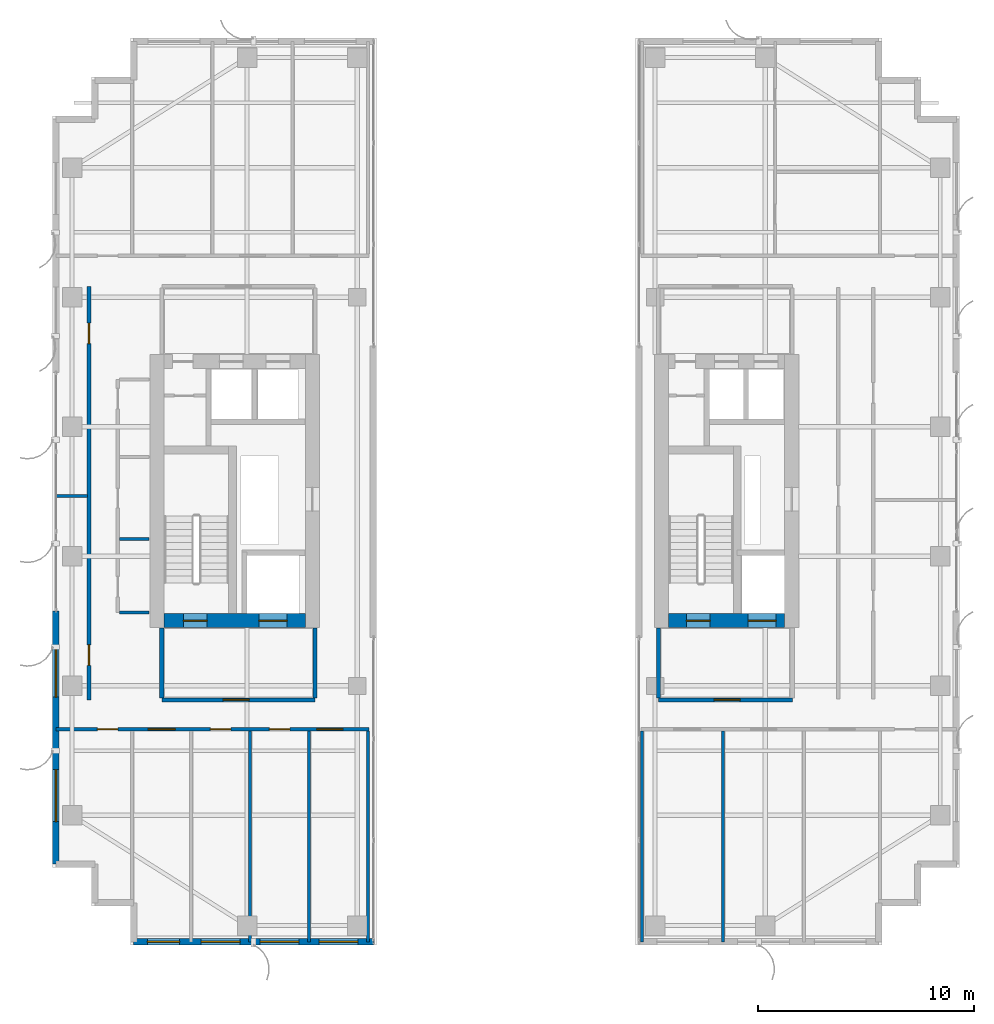
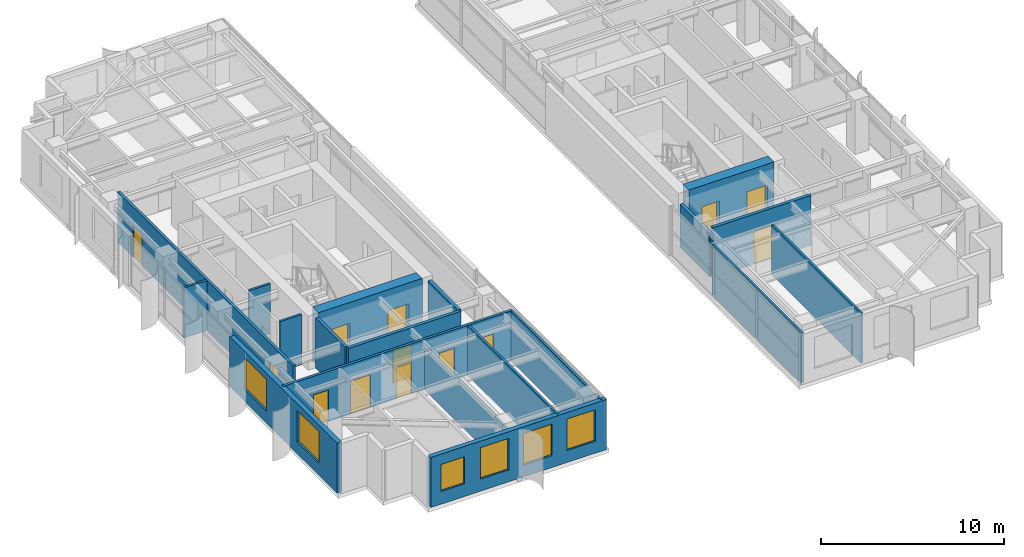
# One storey, part 16 of 22: 19 walls, 13 doors, 6 windows, 19 openings.
"""IFC4 building model written with IfcOpenShell, lengths in metres."""

from ifc_helpers import new_model, si_unit, direction, frame, frame_2d, origin, place, context, subcontext, project, spatial, rectangle, extrude, source, transform, mapped, material, layer, layer_set, type_object, element, fill, save


model = new_model("IFC4")

# Units and contexts
model_context = context("Model", 3, precision=1e-05, world=origin(), true_north=direction((0.0, 1.0)))
body_context = subcontext(model_context, "Body", "Model", "MODEL_VIEW")
ifc_project = project(units=[si_unit("LENGTHUNIT", "METRE"), si_unit("AREAUNIT", "SQUARE_METRE"), si_unit("VOLUMEUNIT", "CUBIC_METRE"), si_unit("PLANEANGLEUNIT", "RADIAN"), si_unit("MASSUNIT", "GRAM", prefix="KILO")], contexts=[model_context])

# Site, building, storey
site_placement = place(None, origin())
site = spatial("IfcSite", under=ifc_project, at=site_placement, CompositionType="ELEMENT")
building_placement = place(site_placement, origin())
building = spatial("IfcBuilding", under=site, at=building_placement, Name="Khoralis Quay Care Tower", CompositionType="ELEMENT")
storey_placement = place(building_placement, frame((0.0, 0.0, 188.10009765625)))
storey = spatial("IfcBuildingStorey", under=building, at=storey_placement, Name="L49", CompositionType="ELEMENT", Elevation=188.10009765625)

# Wall, opening, door
ifc_material_1 = material(Name="Gypsum plasterboard on acoustic metal stud")
ifc_layer_1 = layer(ifc_material_1, 0.199951171875)
ifc_layer_set_1 = layer_set([ifc_layer_1], Name="Gypsum plasterboard on acoustic metal stud")
wall_type_1 = type_object("IfcWallType", Name="WL-COMP-200", PredefinedType="PARTITIONING", material=ifc_layer_set_1)
wall_1_placement = place(storey_placement, frame((8.050048828125, 11.35009765625, 0.0), z_axis=(0.0, 0.0, 1.0), x_axis=(1.0, 0.0, 0.0)))
wall_1 = element("IfcWall", 1, at=wall_1_placement, inside=storey, type_object=wall_type_1, Name="L49 West Firefighting Lobby South Wall", PredefinedType="PARTITIONING", context=body_context, shape_type="SweptSolid", body=[
    extrude(rectangle(XDim=7.099853515625, YDim=0.199951171875, at=frame_2d((3.5498046875, 0.0))), origin(), (0.0, 0.0, 1.0), 3.33984375),
])
opening_1_placement = place(wall_1_placement, frame((2.846435546875, 0.0, 0.0)))
opening_1 = element("IfcOpeningElement", 2, at=opening_1_placement, cuts=wall_1, Name="Opening FD1", PredefinedType="OPENING", context=body_context, shape_type="SweptSolid", body=[
    extrude(rectangle(XDim=1.199951171875, YDim=2.199951171875, at=frame_2d((0.60009765625, 1.10009765625))), frame((0.0, 0.10986328125, 0.0), z_axis=(0.0, -1.0, 0.0), x_axis=(1.0, 0.0, 0.0)), (0.0, 0.0, 1.0), 0.219970703125),
])
ifc_material_2 = material(Name="Fire-rated painted steel", Category="steel")
door_type_1 = type_object("IfcDoorType", Name="DR-FFL-1200X2200", OperationType="NOTDEFINED", PredefinedType="DOOR", material=ifc_material_2)
shared_shape_1 = source(origin(), body_context, "Body", "SweptSolid", [
    extrude(rectangle(XDim=1.199951171875, YDim=2.199951171875, at=frame_2d((0.60009765625, 1.10009765625))), frame((0.0, 0.02490234375, 0.0), z_axis=(0.0, -1.0, 0.0), x_axis=(1.0, 0.0, 0.0)), (0.0, 0.0, 1.0), 0.050048828125),
])
door_1_placement = place(opening_1_placement, origin())
door_1 = element("IfcDoor", 3, at=door_1_placement, inside=storey, type_object=door_type_1, Name="L49 West Firefighting Lobby Fire Door", OperationType="SINGLE_SWING_LEFT", OverallHeight=2.199951171875, OverallWidth=1.199951171875, PredefinedType="DOOR", context=body_context, shape_type="MappedRepresentation", body=[
    mapped(shared_shape_1, transform((0.0, 0.0, 0.0), scale=1.0)),
])
fill(opening_1, door_1)

# Walls
for number, where, z_axis, x_axis, name in (
    (4, (8.050048828125, 11.445068359375, 0.0), (0.0, 0.0, 1.0), (0.0, 1.0, 0.0), "L49 West Firefighting Lobby West Wall"),
    (5, (15.14990234375, 11.445068359375, 0.0), (0.0, 0.0, 1.0), (0.0, 1.0, 0.0), "L49 West Firefighting Lobby East Wall"),
):
    element("IfcWall", number, at=place(storey_placement, frame(where, z_axis=z_axis, x_axis=x_axis)), inside=storey, type_object=wall_type_1, Name=name, PredefinedType="PARTITIONING", context=body_context, shape_type="SweptSolid", body=[
        extrude(rectangle(XDim=3.23486328125, YDim=0.199951171875, at=frame_2d((1.617431640625, 0.0))), origin(), (0.0, 0.0, 1.0), 3.33984375),
    ])

# Wall, opening, door
wall_2_placement = place(storey_placement, frame((31.050048828125, 11.35009765625, 0.0), z_axis=(0.0, 0.0, 1.0), x_axis=(1.0, 0.0, 0.0)))
wall_2 = element("IfcWall", 6, at=wall_2_placement, inside=storey, type_object=wall_type_1, Name="L49 East Firefighting Lobby South Wall", PredefinedType="PARTITIONING", context=body_context, shape_type="SweptSolid", body=[
    extrude(rectangle(XDim=6.199951171875, YDim=0.199951171875, at=frame_2d((3.10009765625, 0.0))), origin(), (0.0, 0.0, 1.0), 3.33984375),
])
opening_2_placement = place(wall_2_placement, frame((2.585693359375, 0.0, 0.0)))
opening_2 = element("IfcOpeningElement", 7, at=opening_2_placement, cuts=wall_2, Name="Opening FD1", PredefinedType="OPENING", context=body_context, shape_type="SweptSolid", body=[
    extrude(rectangle(XDim=1.199951171875, YDim=2.199951171875, at=frame_2d((0.60009765625, 1.10009765625))), frame((0.0, 0.10986328125, 0.0), z_axis=(0.0, -1.0, 0.0), x_axis=(1.0, 0.0, 0.0)), (0.0, 0.0, 1.0), 0.219970703125),
])
door_2_placement = place(opening_2_placement, origin())
door_2 = element("IfcDoor", 8, at=door_2_placement, inside=storey, type_object=door_type_1, Name="L49 East Firefighting Lobby Fire Door", OperationType="SINGLE_SWING_RIGHT", OverallHeight=2.199951171875, OverallWidth=1.199951171875, PredefinedType="DOOR", context=body_context, shape_type="MappedRepresentation", body=[
    mapped(shared_shape_1, transform((0.0, 0.0, 0.0), scale=1.0)),
])
fill(opening_2, door_2)

# Wall
wall_3_placement = place(storey_placement, frame((31.050048828125, 11.445068359375, 0.0), z_axis=(0.0, 0.0, 1.0), x_axis=(0.0, 1.0, 0.0)))
element("IfcWall", 9, at=wall_3_placement, inside=storey, type_object=wall_type_1, Name="L49 East Firefighting Lobby West Wall", PredefinedType="PARTITIONING", context=body_context, shape_type="SweptSolid", body=[
    extrude(rectangle(XDim=3.23486328125, YDim=0.199951171875, at=frame_2d((1.617431640625, 0.0))), origin(), (0.0, 0.0, 1.0), 2.876953125),
])

# Wall, openings, doors
ifc_material_3 = material(Name="Concrete C65/80", Category="concrete")
ifc_layer_2 = layer(ifc_material_3, 0.64990234375)
ifc_layer_set_2 = layer_set([ifc_layer_2], Name="Concrete C65/80")
wall_type_2 = type_object("IfcWallType", Name="WL-CORE-650", PredefinedType="SHEAR", material=ifc_layer_set_2)
wall_4_placement = place(storey_placement, frame((8.14990234375, 15.02490234375, 0.0), z_axis=(0.0, 0.0, 1.0), x_axis=(1.0, 0.0, 0.0)))
wall_4 = element("IfcWall", 10, at=wall_4_placement, inside=storey, type_object=wall_type_2, Name="L49 WCORE South Shear Wall", PredefinedType="SHEAR", context=body_context, shape_type="SweptSolid", body=[
    extrude(rectangle(XDim=6.550048828125, YDim=0.64990234375, at=frame_2d((3.27490234375, 0.0))), origin(), (0.0, 0.0, 1.0), 3.599853515625),
])
opening_3_placement = place(wall_4_placement, frame((0.89990234375, 0.0, 0.0)))
opening_3 = element("IfcOpeningElement", 11, at=opening_3_placement, cuts=wall_4, Name="Opening SD1", PredefinedType="OPENING", context=body_context, shape_type="SweptSolid", body=[
    extrude(rectangle(XDim=1.10009765625, YDim=2.199951171875, at=frame_2d((0.550048828125, 1.10009765625))), frame((0.0, 0.3349609375, 0.0), z_axis=(0.0, -1.0, 0.0), x_axis=(1.0, 0.0, 0.0)), (0.0, 0.0, 1.0), 0.669921875),
])
opening_4_placement = place(wall_4_placement, frame((4.39990234375, 0.0, 0.0)))
opening_4 = element("IfcOpeningElement", 12, at=opening_4_placement, cuts=wall_4, Name="Opening LD2", PredefinedType="OPENING", context=body_context, shape_type="SweptSolid", body=[
    extrude(rectangle(XDim=1.300048828125, YDim=2.199951171875, at=frame_2d((0.64990234375, 1.10009765625))), frame((0.0, 0.3349609375, 0.0), z_axis=(0.0, -1.0, 0.0), x_axis=(1.0, 0.0, 0.0)), (0.0, 0.0, 1.0), 0.669921875),
])
door_type_2 = type_object("IfcDoorType", Name="DR-STAIR-1100X2200", OperationType="NOTDEFINED", PredefinedType="DOOR", material=ifc_material_2)
shared_shape_2 = source(origin(), body_context, "Body", "SweptSolid", [
    extrude(rectangle(XDim=1.10009765625, YDim=2.199951171875, at=frame_2d((0.550048828125, 1.10009765625))), frame((0.0, 0.02490234375, 0.0), z_axis=(0.0, -1.0, 0.0), x_axis=(1.0, 0.0, 0.0)), (0.0, 0.0, 1.0), 0.050048828125),
])
door_3_placement = place(opening_3_placement, origin())
door_3 = element("IfcDoor", 13, at=door_3_placement, inside=storey, type_object=door_type_2, Name="L49 Stair ST-T1 Fire Door", OperationType="SINGLE_SWING_LEFT", OverallHeight=2.199951171875, OverallWidth=1.10009765625, PredefinedType="DOOR", context=body_context, shape_type="MappedRepresentation", body=[
    mapped(shared_shape_2, transform((0.0, 0.0, 0.0), scale=1.0)),
])
fill(opening_3, door_3)
ifc_material_4 = material(Name="Brushed stainless steel", Category="steel")
door_type_3 = type_object("IfcDoorType", Name="DR-LIFT-1300X2200", OperationType="SLIDING_TO_RIGHT", PredefinedType="DOOR", material=ifc_material_4)
shared_shape_3 = source(origin(), body_context, "Body", "SweptSolid", [
    extrude(rectangle(XDim=1.300048828125, YDim=2.199951171875, at=frame_2d((0.64990234375, 1.10009765625))), frame((0.0, 0.02490234375, 0.0), z_axis=(0.0, -1.0, 0.0), x_axis=(1.0, 0.0, 0.0)), (0.0, 0.0, 1.0), 0.050048828125),
])
door_4_placement = place(opening_4_placement, origin())
door_4 = element("IfcDoor", 14, at=door_4_placement, inside=storey, type_object=door_type_3, Name="L49 Firefighting Lift FFL-1 Landing Door", OperationType="SLIDING_TO_RIGHT", OverallHeight=2.199951171875, OverallWidth=1.300048828125, PredefinedType="DOOR", context=body_context, shape_type="MappedRepresentation", body=[
    mapped(shared_shape_3, transform((0.0, 0.0, 0.0), scale=1.0)),
])
fill(opening_4, door_4)

wall_5_placement = place(storey_placement, frame((31.52001953125, 15.02490234375, 0.0), z_axis=(0.0, 0.0, 1.0), x_axis=(1.0, 0.0, 0.0)))
wall_5 = element("IfcWall", 15, at=wall_5_placement, inside=storey, type_object=wall_type_2, Name="L49 ECORE South Shear Wall", PredefinedType="SHEAR", context=body_context, shape_type="SweptSolid", body=[
    extrude(rectangle(XDim=5.3798828125, YDim=0.64990234375, at=frame_2d((2.68994140625, 0.0))), origin(), (0.0, 0.0, 1.0), 3.599853515625),
])
opening_5_placement = place(wall_5_placement, frame((0.830078125, 0.0, 0.0)))
opening_5 = element("IfcOpeningElement", 16, at=opening_5_placement, cuts=wall_5, Name="Opening SD1", PredefinedType="OPENING", context=body_context, shape_type="SweptSolid", body=[
    extrude(rectangle(XDim=1.10009765625, YDim=2.199951171875, at=frame_2d((0.550048828125, 1.10009765625))), frame((0.0, 0.3349609375, 0.0), z_axis=(0.0, -1.0, 0.0), x_axis=(1.0, 0.0, 0.0)), (0.0, 0.0, 1.0), 0.669921875),
])
opening_6_placement = place(wall_5_placement, frame((3.679931640625, 0.0, 0.0)))
opening_6 = element("IfcOpeningElement", 17, at=opening_6_placement, cuts=wall_5, Name="Opening LD2", PredefinedType="OPENING", context=body_context, shape_type="SweptSolid", body=[
    extrude(rectangle(XDim=1.300048828125, YDim=2.199951171875, at=frame_2d((0.64990234375, 1.10009765625))), frame((0.0, 0.3349609375, 0.0), z_axis=(0.0, -1.0, 0.0), x_axis=(1.0, 0.0, 0.0)), (0.0, 0.0, 1.0), 0.669921875),
])
door_5_placement = place(opening_5_placement, origin())
door_5 = element("IfcDoor", 18, at=door_5_placement, inside=storey, type_object=door_type_2, Name="L49 Stair ST-T2 Fire Door", OperationType="SINGLE_SWING_RIGHT", OverallHeight=2.199951171875, OverallWidth=1.10009765625, PredefinedType="DOOR", context=body_context, shape_type="MappedRepresentation", body=[
    mapped(shared_shape_2, transform((0.0, 0.0, 0.0), scale=1.0)),
])
fill(opening_5, door_5)
door_6_placement = place(opening_6_placement, origin())
door_6 = element("IfcDoor", 19, at=door_6_placement, inside=storey, type_object=door_type_3, Name="L49 Firefighting Lift FFL-2 Landing Door", OperationType="SLIDING_TO_RIGHT", OverallHeight=2.199951171875, OverallWidth=1.300048828125, PredefinedType="DOOR", context=body_context, shape_type="MappedRepresentation", body=[
    mapped(shared_shape_3, transform((0.0, 0.0, 0.0), scale=1.0)),
])
fill(opening_6, door_6)

ifc_layer_3 = layer(ifc_material_1, 0.1650390625)
ifc_layer_set_3 = layer_set([ifc_layer_3], Name="Gypsum plasterboard on acoustic metal stud")
wall_type_3 = type_object("IfcWallType", Name="WL-CORR-165", PredefinedType="PARTITIONING", material=ifc_layer_set_3)
wall_6_placement = place(storey_placement, frame((3.14501953125, 9.989990234375, 0.0), z_axis=(0.0, 0.0, 1.0), x_axis=(1.0, 0.0, 0.0)))
wall_6 = element("IfcWall", 20, at=wall_6_placement, inside=storey, type_object=wall_type_3, Name="L49 West Wing South Corridor Wall", PredefinedType="PARTITIONING", context=body_context, shape_type="SweptSolid", body=[
    extrude(rectangle(XDim=14.5048828125, YDim=0.1650390625, at=frame_2d((7.25244140625, 0.0))), origin(), (0.0, 0.0, 1.0), 3.33984375),
])
opening_7_placement = place(wall_6_placement, frame((4.27490234375, 0.0, 0.0)))
opening_7 = element("IfcOpeningElement", 21, at=opening_7_placement, cuts=wall_6, Name="Opening CD1", PredefinedType="OPENING", context=body_context, shape_type="SweptSolid", body=[
    extrude(rectangle(XDim=1.25, YDim=2.199951171875, at=frame_2d((0.625, 1.10009765625))), frame((0.0, 0.092529296875, 0.0), z_axis=(0.0, -1.0, 0.0), x_axis=(1.0, 0.0, 0.0)), (0.0, 0.0, 1.0), 0.18505859375),
])
opening_8_placement = place(wall_6_placement, frame((7.155029296875, 0.0, 0.0)))
opening_8 = element("IfcOpeningElement", 22, at=opening_8_placement, cuts=wall_6, Name="Opening ID1", PredefinedType="OPENING", context=body_context, shape_type="SweptSolid", body=[
    extrude(rectangle(XDim=0.949951171875, YDim=2.10009765625, at=frame_2d((0.47509765625, 1.050048828125))), frame((0.0, 0.092529296875, 0.0), z_axis=(0.0, -1.0, 0.0), x_axis=(1.0, 0.0, 0.0)), (0.0, 0.0, 1.0), 0.18505859375),
])
opening_9_placement = place(wall_6_placement, frame((9.885009765625, 0.0, 0.0)))
opening_9 = element("IfcOpeningElement", 23, at=opening_9_placement, cuts=wall_6, Name="Opening ID1", PredefinedType="OPENING", context=body_context, shape_type="SweptSolid", body=[
    extrude(rectangle(XDim=0.949951171875, YDim=2.10009765625, at=frame_2d((0.47509765625, 1.050048828125))), frame((0.0, 0.092529296875, 0.0), z_axis=(0.0, -1.0, 0.0), x_axis=(1.0, 0.0, 0.0)), (0.0, 0.0, 1.0), 0.18505859375),
])
opening_10_placement = place(wall_6_placement, frame((12.090087890625, 0.0, 0.0)))
opening_10 = element("IfcOpeningElement", 24, at=opening_10_placement, cuts=wall_6, Name="Opening FD1", PredefinedType="OPENING", context=body_context, shape_type="SweptSolid", body=[
    extrude(rectangle(XDim=1.199951171875, YDim=2.199951171875, at=frame_2d((0.60009765625, 1.10009765625))), frame((0.0, 0.092529296875, 0.0), z_axis=(0.0, -1.0, 0.0), x_axis=(1.0, 0.0, 0.0)), (0.0, 0.0, 1.0), 0.18505859375),
])
opening_11_placement = place(wall_6_placement, frame((1.919921875, 0.0, 0.0)))
opening_11 = element("IfcOpeningElement", 25, at=opening_11_placement, cuts=wall_6, Name="Opening ID1", PredefinedType="OPENING", context=body_context, shape_type="SweptSolid", body=[
    extrude(rectangle(XDim=0.949951171875, YDim=2.10009765625, at=frame_2d((0.47509765625, 1.050048828125))), frame((0.0, 0.092529296875, 0.0), z_axis=(0.0, -1.0, 0.0), x_axis=(1.0, 0.0, 0.0)), (0.0, 0.0, 1.0), 0.18505859375),
])
door_7_placement = place(opening_10_placement, frame((1.199951171875, 0.0, 0.0), z_axis=(0.0, 0.0, 1.0), x_axis=(-1.0, 0.0, 0.0)))
door_7 = element("IfcDoor", 26, at=door_7_placement, inside=storey, type_object=door_type_1, Name="L49 Senior Wellness Pharmacy Shop Door", OperationType="DOUBLE_DOOR_SINGLE_SWING", OverallHeight=2.199951171875, OverallWidth=1.199951171875, PredefinedType="DOOR", context=body_context, shape_type="MappedRepresentation", body=[
    mapped(shared_shape_1, transform((0.0, 0.0, 0.0), scale=1.0)),
])
fill(opening_10, door_7)
ifc_material_5 = material(Name="Acoustic hardwood timber", Category="wood")
door_type_4 = type_object("IfcDoorType", Name="DR-CARE-1250X2200", OperationType="NOTDEFINED", PredefinedType="DOOR", material=ifc_material_5)
shared_shape_4 = source(origin(), body_context, "Body", "SweptSolid", [
    extrude(rectangle(XDim=1.25, YDim=2.199951171875, at=frame_2d((0.625, 1.10009765625))), frame((0.0, 0.02490234375, 0.0), z_axis=(0.0, -1.0, 0.0), x_axis=(1.0, 0.0, 0.0)), (0.0, 0.0, 1.0), 0.050048828125),
])
door_8_placement = place(opening_7_placement, frame((1.25, 0.0, 0.0), z_axis=(0.0, 0.0, 1.0), x_axis=(-1.0, 0.0, 0.0)))
door_8 = element("IfcDoor", 27, at=door_8_placement, inside=storey, type_object=door_type_4, Name="L49 Geriatric Consultation Clinic Door", OperationType="SINGLE_SWING_RIGHT", OverallHeight=2.199951171875, OverallWidth=1.25, PredefinedType="DOOR", context=body_context, shape_type="MappedRepresentation", body=[
    mapped(shared_shape_4, transform((0.0, 0.0, 0.0), scale=1.0)),
])
fill(opening_7, door_8)
door_type_5 = type_object("IfcDoorType", Name="DR-ROOM-950X2100", OperationType="NOTDEFINED", PredefinedType="DOOR", material=ifc_material_5)
shared_shape_5 = source(origin(), body_context, "Body", "SweptSolid", [
    extrude(rectangle(XDim=0.949951171875, YDim=2.10009765625, at=frame_2d((0.47509765625, 1.050048828125))), frame((0.0, 0.02490234375, 0.0), z_axis=(0.0, -1.0, 0.0), x_axis=(1.0, 0.0, 0.0)), (0.0, 0.0, 1.0), 0.050048828125),
])
door_9_placement = place(opening_8_placement, frame((0.949951171875, 0.0, 0.0), z_axis=(0.0, 0.0, 1.0), x_axis=(-1.0, 0.0, 0.0)))
door_9 = element("IfcDoor", 28, at=door_9_placement, inside=storey, type_object=door_type_5, Name="L49 Care Coordination Office Door", OperationType="SINGLE_SWING_RIGHT", OverallHeight=2.10009765625, OverallWidth=0.949951171875, PredefinedType="DOOR", context=body_context, shape_type="MappedRepresentation", body=[
    mapped(shared_shape_5, transform((0.0, 0.0, 0.0), scale=1.0)),
])
fill(opening_8, door_9)
door_10_placement = place(opening_9_placement, frame((0.949951171875, 0.0, 0.0), z_axis=(0.0, 0.0, 1.0), x_axis=(-1.0, 0.0, 0.0)))
door_10 = element("IfcDoor", 29, at=door_10_placement, inside=storey, type_object=door_type_5, Name="L49 Family Case Conference Room Door", OperationType="SINGLE_SWING_LEFT", OverallHeight=2.10009765625, OverallWidth=0.949951171875, PredefinedType="DOOR", context=body_context, shape_type="MappedRepresentation", body=[
    mapped(shared_shape_5, transform((0.0, 0.0, 0.0), scale=1.0)),
])
fill(opening_9, door_10)
door_11_placement = place(opening_11_placement, frame((0.949951171875, 0.0, 0.0), z_axis=(0.0, 0.0, 1.0), x_axis=(-1.0, 0.0, 0.0)))
door_11 = element("IfcDoor", 30, at=door_11_placement, inside=storey, type_object=door_type_5, Name="L49 SW Corner Door", OperationType="SINGLE_SWING_LEFT", OverallHeight=2.10009765625, OverallWidth=0.949951171875, PredefinedType="DOOR", context=body_context, shape_type="MappedRepresentation", body=[
    mapped(shared_shape_5, transform((0.0, 0.0, 0.0), scale=1.0)),
])
fill(opening_11, door_11)

wall_7_placement = place(storey_placement, frame((4.679931640625, 11.35009765625, 0.0), z_axis=(0.0, 0.0, 1.0), x_axis=(0.0, 1.0, 0.0)))
wall_7 = element("IfcWall", 31, at=wall_7_placement, inside=storey, type_object=wall_type_3, Name="L49 West Mid South Entry Wall", PredefinedType="PARTITIONING", context=body_context, shape_type="SweptSolid", body=[
    extrude(rectangle(XDim=19.14990234375, YDim=0.1650390625, at=frame_2d((9.574951171875, 0.0))), origin(), (0.0, 0.0, 1.0), 3.33984375),
])
opening_12_placement = place(wall_7_placement, frame((1.60009765625, 0.0, 0.0)))
opening_12 = element("IfcOpeningElement", 32, at=opening_12_placement, cuts=wall_7, Name="Opening ID1", PredefinedType="OPENING", context=body_context, shape_type="SweptSolid", body=[
    extrude(rectangle(XDim=0.949951171875, YDim=2.10009765625, at=frame_2d((0.47509765625, 1.050048828125))), frame((0.0, 0.092529296875, 0.0), z_axis=(0.0, -1.0, 0.0), x_axis=(1.0, 0.0, 0.0)), (0.0, 0.0, 1.0), 0.18505859375),
])
opening_13_placement = place(wall_7_placement, frame((16.5, 0.0, 0.0)))
opening_13 = element("IfcOpeningElement", 33, at=opening_13_placement, cuts=wall_7, Name="Opening ID1", PredefinedType="OPENING", context=body_context, shape_type="SweptSolid", body=[
    extrude(rectangle(XDim=0.949951171875, YDim=2.10009765625, at=frame_2d((0.47509765625, 1.050048828125))), frame((0.0, 0.092529296875, 0.0), z_axis=(0.0, -1.0, 0.0), x_axis=(1.0, 0.0, 0.0)), (0.0, 0.0, 1.0), 0.18505859375),
])
door_12_placement = place(opening_12_placement, frame((0.949951171875, 0.0, 0.0), z_axis=(0.0, 0.0, 1.0), x_axis=(-1.0, 0.0, 0.0)))
door_12 = element("IfcDoor", 34, at=door_12_placement, inside=storey, type_object=door_type_5, Name="L49 West Waterfront Living Suite Door", OperationType="SINGLE_SWING_LEFT", OverallHeight=2.10009765625, OverallWidth=0.949951171875, PredefinedType="DOOR", context=body_context, shape_type="MappedRepresentation", body=[
    mapped(shared_shape_5, transform((0.0, 0.0, 0.0), scale=1.0)),
])
fill(opening_12, door_12)
door_13_placement = place(opening_13_placement, frame((0.949951171875, 0.0, 0.0), z_axis=(0.0, 0.0, 1.0), x_axis=(-1.0, 0.0, 0.0)))
door_13 = element("IfcDoor", 35, at=door_13_placement, inside=storey, type_object=door_type_5, Name="L49 West Care Coordinator Office Door", OperationType="SINGLE_SWING_RIGHT", OverallHeight=2.10009765625, OverallWidth=0.949951171875, PredefinedType="DOOR", context=body_context, shape_type="MappedRepresentation", body=[
    mapped(shared_shape_5, transform((0.0, 0.0, 0.0), scale=1.0)),
])
fill(opening_13, door_13)

# Wall, openings, windows
ifc_material_6 = material(Name="Precast concrete C45/55", Category="concrete")
ifc_layer_4 = layer(ifc_material_6, 0.300048828125)
ifc_layer_set_4 = layer_set([ifc_layer_4], Name="Precast concrete C45/55")
wall_type_4 = type_object("IfcWallType", Name="WL-EXT-REF-300", PredefinedType="SOLIDWALL", material=ifc_layer_set_4)
wall_8_placement = place(storey_placement, frame((6.75, 0.14990234375, 0.0), z_axis=(0.0, 0.0, 1.0), x_axis=(1.0, 0.0, 0.0)))
wall_8 = element("IfcWall", 36, at=wall_8_placement, inside=storey, type_object=wall_type_4, Name="L49 External Facade Wall WL-EXT-L49-P1-E0", PredefinedType="SOLIDWALL", context=body_context, shape_type="SweptSolid", body=[
    extrude(rectangle(XDim=11.10009765625, YDim=0.300048828125, at=frame_2d((5.550048828125, 0.0))), origin(), (0.0, 0.0, 1.0), 3.33984375),
])
opening_14_placement = place(wall_8_placement, frame((0.6298828125, 0.0, 0.85009765625)))
opening_14 = element("IfcOpeningElement", 37, at=opening_14_placement, cuts=wall_8, Name="Opening W3", PredefinedType="OPENING", context=body_context, shape_type="SweptSolid", body=[
    extrude(rectangle(XDim=1.5, YDim=1.800048828125, at=frame_2d((0.75, 0.89990234375))), frame((0.0, 0.16015625, 0.0), z_axis=(0.0, -1.0, 0.0), x_axis=(1.0, 0.0, 0.0)), (0.0, 0.0, 1.0), 0.320068359375),
])
opening_15_placement = place(wall_8_placement, frame((3.125, 0.0, 0.800048828125)))
opening_15 = element("IfcOpeningElement", 38, at=opening_15_placement, cuts=wall_8, Name="Opening W2", PredefinedType="OPENING", context=body_context, shape_type="SweptSolid", body=[
    extrude(rectangle(XDim=1.800048828125, YDim=2.10009765625, at=frame_2d((0.89990234375, 1.050048828125))), frame((0.0, 0.16015625, 0.0), z_axis=(0.0, -1.0, 0.0), x_axis=(1.0, 0.0, 0.0)), (0.0, 0.0, 1.0), 0.320068359375),
])
opening_16_placement = place(wall_8_placement, frame((5.85498046875, 0.0, 0.800048828125)))
opening_16 = element("IfcOpeningElement", 39, at=opening_16_placement, cuts=wall_8, Name="Opening W2", PredefinedType="OPENING", context=body_context, shape_type="SweptSolid", body=[
    extrude(rectangle(XDim=1.800048828125, YDim=2.10009765625, at=frame_2d((0.89990234375, 1.050048828125))), frame((0.0, 0.16015625, 0.0), z_axis=(0.0, -1.0, 0.0), x_axis=(1.0, 0.0, 0.0)), (0.0, 0.0, 1.0), 0.320068359375),
])
opening_17_placement = place(wall_8_placement, frame((8.5849609375, 0.0, 0.800048828125)))
opening_17 = element("IfcOpeningElement", 40, at=opening_17_placement, cuts=wall_8, Name="Opening W2", PredefinedType="OPENING", context=body_context, shape_type="SweptSolid", body=[
    extrude(rectangle(XDim=1.800048828125, YDim=2.10009765625, at=frame_2d((0.89990234375, 1.050048828125))), frame((0.0, 0.16015625, 0.0), z_axis=(0.0, -1.0, 0.0), x_axis=(1.0, 0.0, 0.0)), (0.0, 0.0, 1.0), 0.320068359375),
])
ifc_material_7 = material(Name="Low-E solar-control double glazing", Category="glass")
window_type_1 = type_object("IfcWindowType", Name="WN-CLIN-1500X1800", PartitioningType="SINGLE_PANEL", PredefinedType="WINDOW", material=ifc_material_7)
shared_shape_6 = source(origin(), body_context, "Body", "SweptSolid", [
    extrude(rectangle(XDim=1.5, YDim=1.800048828125, at=frame_2d((0.75, 0.89990234375))), frame((0.0, 0.030029296875, 0.0), z_axis=(0.0, -1.0, 0.0), x_axis=(1.0, 0.0, 0.0)), (0.0, 0.0, 1.0), 0.06005859375),
])
window_1_placement = place(opening_14_placement, origin())
window_1 = element("IfcWindow", 41, at=window_1_placement, inside=storey, type_object=window_type_1, Name="WN-L49-P1-E0 Facade Window 01", OverallHeight=1.800048828125, OverallWidth=1.5, PartitioningType="SINGLE_PANEL", PredefinedType="WINDOW", context=body_context, shape_type="MappedRepresentation", body=[
    mapped(shared_shape_6, transform((0.0, 0.0, 0.0), scale=1.0)),
])
fill(opening_14, window_1)
window_type_2 = type_object("IfcWindowType", Name="WN-POD-1800X2100", PartitioningType="SINGLE_PANEL", PredefinedType="WINDOW", material=ifc_material_7)
shared_shape_7 = source(origin(), body_context, "Body", "SweptSolid", [
    extrude(rectangle(XDim=1.800048828125, YDim=2.10009765625, at=frame_2d((0.89990234375, 1.050048828125))), frame((0.0, 0.030029296875, 0.0), z_axis=(0.0, -1.0, 0.0), x_axis=(1.0, 0.0, 0.0)), (0.0, 0.0, 1.0), 0.06005859375),
])
window_2_placement = place(opening_15_placement, origin())
window_2 = element("IfcWindow", 42, at=window_2_placement, inside=storey, type_object=window_type_2, Name="WN-L49-P1-E0 Facade Window 02", OverallHeight=2.10009765625, OverallWidth=1.800048828125, PartitioningType="SINGLE_PANEL", PredefinedType="WINDOW", context=body_context, shape_type="MappedRepresentation", body=[
    mapped(shared_shape_7, transform((0.0, 0.0, 0.0), scale=1.0)),
])
fill(opening_15, window_2)
window_3_placement = place(opening_16_placement, origin())
window_3 = element("IfcWindow", 43, at=window_3_placement, inside=storey, type_object=window_type_2, Name="WN-L49-P1-E0 Facade Window 03", OverallHeight=2.10009765625, OverallWidth=1.800048828125, PartitioningType="SINGLE_PANEL", PredefinedType="WINDOW", context=body_context, shape_type="MappedRepresentation", body=[
    mapped(shared_shape_7, transform((0.0, 0.0, 0.0), scale=1.0)),
])
fill(opening_16, window_3)
window_4_placement = place(opening_17_placement, origin())
window_4 = element("IfcWindow", 44, at=window_4_placement, inside=storey, type_object=window_type_2, Name="WN-L49-P1-E0 Facade Window 04", OverallHeight=2.10009765625, OverallWidth=1.800048828125, PartitioningType="SINGLE_PANEL", PredefinedType="WINDOW", context=body_context, shape_type="MappedRepresentation", body=[
    mapped(shared_shape_7, transform((0.0, 0.0, 0.0), scale=1.0)),
])
fill(opening_17, window_4)

wall_9_placement = place(storey_placement, frame((3.14990234375, 15.47998046875, 0.0), z_axis=(0.0, 0.0, 1.0), x_axis=(0.0, -1.0, 0.0)))
wall_9 = element("IfcWall", 45, at=wall_9_placement, inside=storey, type_object=wall_type_4, Name="L49 External Facade Wall WL-EXT-L49-P1-E7B", PredefinedType="SOLIDWALL", context=body_context, shape_type="SweptSolid", body=[
    extrude(rectangle(XDim=11.72998046875, YDim=0.300048828125, at=frame_2d((5.864990234375, 0.0))), origin(), (0.0, 0.0, 1.0), 3.33984375),
])
opening_18_placement = place(wall_9_placement, frame((1.594970703125, 0.0, 0.800048828125)))
opening_18 = element("IfcOpeningElement", 46, at=opening_18_placement, cuts=wall_9, Name="Opening W1", PredefinedType="OPENING", context=body_context, shape_type="SweptSolid", body=[
    extrude(rectangle(XDim=2.39990234375, YDim=2.10009765625, at=frame_2d((1.199951171875, 1.050048828125))), frame((0.0, 0.16015625, 0.0), z_axis=(0.0, -1.0, 0.0), x_axis=(1.0, 0.0, 0.0)), (0.0, 0.0, 1.0), 0.320068359375),
])
opening_19_placement = place(wall_9_placement, frame((7.360107421875, 0.0, 0.800048828125)))
opening_19 = element("IfcOpeningElement", 47, at=opening_19_placement, cuts=wall_9, Name="Opening W1", PredefinedType="OPENING", context=body_context, shape_type="SweptSolid", body=[
    extrude(rectangle(XDim=2.39990234375, YDim=2.10009765625, at=frame_2d((1.199951171875, 1.050048828125))), frame((0.0, 0.16015625, 0.0), z_axis=(0.0, -1.0, 0.0), x_axis=(1.0, 0.0, 0.0)), (0.0, 0.0, 1.0), 0.320068359375),
])
window_type_3 = type_object("IfcWindowType", Name="WN-POD-2400X2100", PartitioningType="SINGLE_PANEL", PredefinedType="WINDOW", material=ifc_material_7)
shared_shape_8 = source(origin(), body_context, "Body", "SweptSolid", [
    extrude(rectangle(XDim=2.39990234375, YDim=2.10009765625, at=frame_2d((1.199951171875, 1.050048828125))), frame((0.0, 0.030029296875, 0.0), z_axis=(0.0, -1.0, 0.0), x_axis=(1.0, 0.0, 0.0)), (0.0, 0.0, 1.0), 0.06005859375),
])
window_5_placement = place(opening_18_placement, origin())
window_5 = element("IfcWindow", 48, at=window_5_placement, inside=storey, type_object=window_type_3, Name="WN-L49-P1-E7B Facade Window 01", OverallHeight=2.10009765625, OverallWidth=2.39990234375, PartitioningType="SINGLE_PANEL", PredefinedType="WINDOW", context=body_context, shape_type="MappedRepresentation", body=[
    mapped(shared_shape_8, transform((0.0, 0.0, 0.0), scale=1.0)),
])
fill(opening_18, window_5)
window_6_placement = place(opening_19_placement, origin())
window_6 = element("IfcWindow", 49, at=window_6_placement, inside=storey, type_object=window_type_3, Name="WN-L49-P1-E7B Facade Window 02", OverallHeight=2.10009765625, OverallWidth=2.39990234375, PartitioningType="SINGLE_PANEL", PredefinedType="WINDOW", context=body_context, shape_type="MappedRepresentation", body=[
    mapped(shared_shape_8, transform((0.0, 0.0, 0.0), scale=1.0)),
])
fill(opening_19, window_6)

# Walls
ifc_material_8 = material(Name="Moisture-resistant gypsum and ceramic tile")
ifc_layer_5 = layer(ifc_material_8, 0.280029296875)
ifc_layer_set_5 = layer_set([ifc_layer_5], Name="Moisture-resistant gypsum and ceramic tile")
wall_type_5 = type_object("IfcWallType", Name="WL-PLUMB-280", PredefinedType="PLUMBINGWALL", material=ifc_layer_set_5)
wall_10_placement = place(storey_placement, frame((6.097412109375, 18.800048828125, 0.0), z_axis=(0.0, 0.0, 1.0), x_axis=(1.0, 0.0, 0.0)))
element("IfcWall", 50, at=wall_10_placement, inside=storey, type_object=wall_type_5, Name="L49 West Flank Divider 1", PredefinedType="PLUMBINGWALL", context=body_context, shape_type="SweptSolid", body=[
    extrude(rectangle(XDim=1.362548828125, YDim=0.139892578125, at=frame_2d((0.68115234375, 0.0))), origin(), (0.0, 0.0, 1.0), 3.33984375),
])
ifc_layer_6 = layer(ifc_material_1, 0.139892578125)
ifc_layer_set_6 = layer_set([ifc_layer_6], Name="Gypsum plasterboard on acoustic metal stud")
wall_type_6 = type_object("IfcWallType", Name="WL-UNIT-140", PredefinedType="PARTITIONING", material=ifc_layer_set_6)
wall_11_placement = place(storey_placement, frame((6.097412109375, 15.39990234375, 0.0), z_axis=(0.0, 0.0, 1.0), x_axis=(1.0, 0.0, 0.0)))
element("IfcWall", 51, at=wall_11_placement, inside=storey, type_object=wall_type_6, Name="L49 West Flank South Cap", PredefinedType="PARTITIONING", context=body_context, shape_type="SweptSolid", body=[
    extrude(rectangle(XDim=1.362548828125, YDim=0.139892578125, at=frame_2d((0.68115234375, 0.0))), origin(), (0.0, 0.0, 1.0), 3.33984375),
])
wall_12_placement = place(storey_placement, frame((3.14501953125, 20.800048828125, 0.0), z_axis=(0.0, 0.0, 1.0), x_axis=(1.0, 0.0, 0.0)))
element("IfcWall", 52, at=wall_12_placement, inside=storey, type_object=wall_type_6, Name="L49 West Mid Split", PredefinedType="PARTITIONING", context=body_context, shape_type="SweptSolid", body=[
    extrude(rectangle(XDim=1.45751953125, YDim=0.139892578125, at=frame_2d((0.728759765625, 0.0))), origin(), (0.0, 0.0, 1.0), 3.33984375),
])
wall_13_placement = place(storey_placement, frame((12.139892578125, 0.14501953125, 0.0), z_axis=(0.0, 0.0, 1.0), x_axis=(0.0, 1.0, 0.0)))
element("IfcWall", 53, at=wall_13_placement, inside=storey, type_object=wall_type_6, Name="L49 WS Demising Wall 2", PredefinedType="PARTITIONING", context=body_context, shape_type="SweptSolid", body=[
    extrude(rectangle(XDim=9.767578125, YDim=0.139892578125, at=frame_2d((4.8837890625, 0.0))), origin(), (0.0, 0.0, 1.0), 2.876953125),
])
for number, where, z_axis, x_axis, name in (
    (54, (14.8701171875, 0.14501953125, 0.0), (0.0, 0.0, 1.0), (0.0, 1.0, 0.0), "L49 WS Demising Wall 3"),
    (55, (17.60009765625, 0.14501953125, 0.0), (0.0, 0.0, 1.0), (0.0, 1.0, 0.0), "L49 WS Demising Wall 4"),
    (56, (30.300048828125, 0.14501953125, 0.0), (0.0, 0.0, 1.0), (0.0, 1.0, 0.0), "L49 ES Demising Wall 0"),
    (57, (34.050048828125, 0.14501953125, 0.0), (0.0, 0.0, 1.0), (0.0, 1.0, 0.0), "L49 ES Demising Wall 1"),
):
    element("IfcWall", number, at=place(storey_placement, frame(where, z_axis=z_axis, x_axis=x_axis)), inside=storey, type_object=wall_type_6, Name=name, PredefinedType="PARTITIONING", context=body_context, shape_type="SweptSolid", body=[
        extrude(rectangle(XDim=9.767578125, YDim=0.139892578125, at=frame_2d((4.8837890625, 0.0))), origin(), (0.0, 0.0, 1.0), 3.33984375),
    ])

save(model, "model.ifc")
